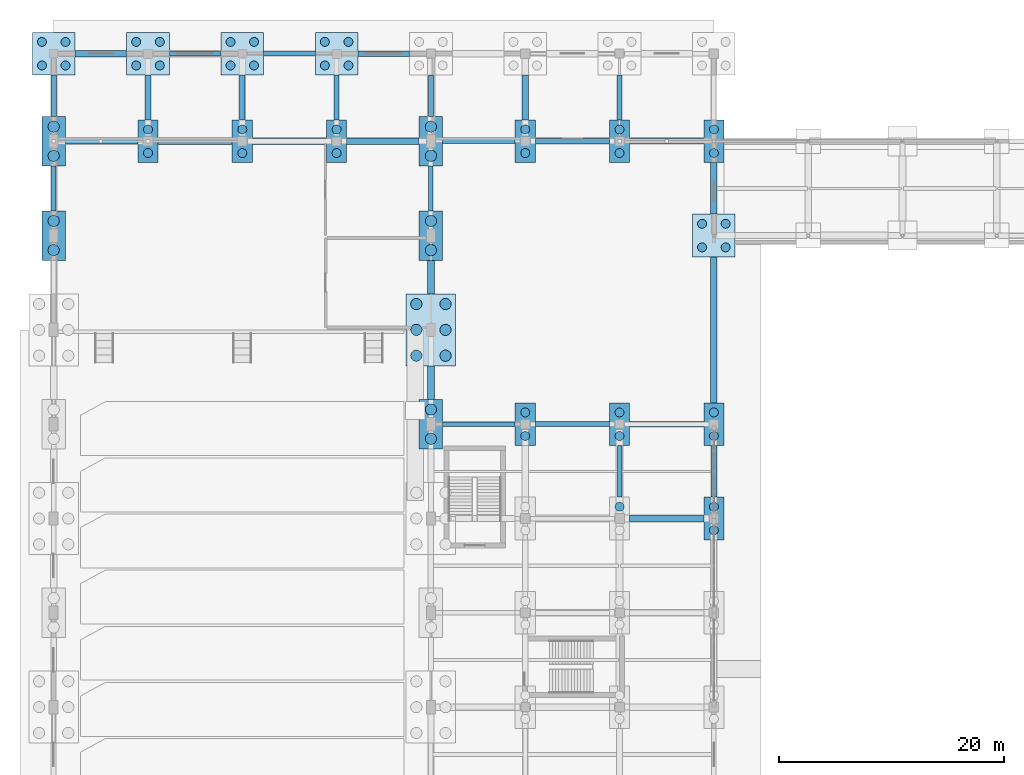
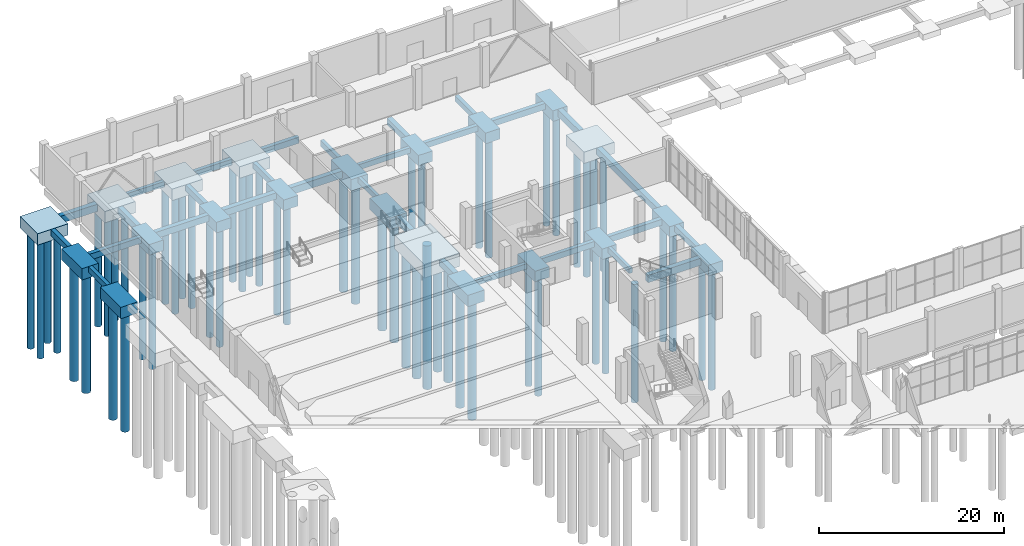
# One storey, part 3 of 82: 57 piles, 51 footings.
"""IFC4 building model written with IfcOpenShell, lengths in metres."""

import ifcopenshell
import ifcopenshell.guid

model = None  # the IFC model being written
_history = None  # IfcOwnerHistory: only IFC2X3 demands one
_inside = {}  # id of a spatial element -> (the spatial element, [elements in it])
_under = {}  # id of a project, library or spatial element -> (it, [spatial elements below it])
_declared = {}  # id of a project -> (the project, [libraries it declares])
_typed = {}  # id of a type object -> (the type object, [elements of that type])
_made_of = {}  # id of a material, layer set ... -> (it, [elements and type objects made of it])


def new_model(schema):
    """Start an empty IFC model of exactly this schema.

    Asked for "IFC4X3", IfcOpenShell would pick the latest addendum, in which some entities
    have other attributes; the version numbers below select the first issue.
    IFC2X3 requires an IfcOwnerHistory on every rooted entity: one is made here for all.
    """
    global model, _history
    if schema == "IFC4X3":
        model = ifcopenshell.file(schema_version=(4, 3, 0, 0))
    else:
        model = ifcopenshell.file(schema=schema)
    _inside.clear()
    _under.clear()
    _declared.clear()
    _typed.clear()
    _made_of.clear()
    _history = None
    if model.schema == "IFC2X3":
        org = make("IfcOrganization", Name="unknown")
        user = make(
            "IfcPersonAndOrganization",
            ThePerson=make("IfcPerson", FamilyName="unknown"),
            TheOrganization=org,
        )
        app = make(
            "IfcApplication",
            ApplicationDeveloper=org,
            Version="unknown",
            ApplicationFullName="unknown",
            ApplicationIdentifier="unknown",
        )
        _history = make(
            "IfcOwnerHistory",
            OwningUser=user,
            OwningApplication=app,
            ChangeAction="ADDED",
            CreationDate=0,
        )
    return model


def make(cls, **values):
    """One entity of the class cls with the attributes given. An attribute that is None is left unset."""
    return model.create_entity(
        cls, **{name: value for name, value in values.items() if value is not None}
    )


def rooted(cls, **values):
    """An entity with a GlobalId (a new one), such as an element, a storey or a relation."""
    return make(cls, GlobalId=ifcopenshell.guid.new(), OwnerHistory=_history, **values)


def si_unit(unit_type, name, prefix=None):
    """IfcSIUnit, for example si_unit("LENGTHUNIT", "METRE", prefix="MILLI")."""
    return make("IfcSIUnit", UnitType=unit_type, Prefix=prefix, Name=name)


def derived_unit(unit_type, elements):
    """IfcDerivedUnit: a product of units, each with its exponent."""
    return make(
        "IfcDerivedUnit",
        Elements=[
            make("IfcDerivedUnitElement", Unit=unit, Exponent=power)
            for unit, power in elements
        ],
        UnitType=unit_type,
    )


def assignment(units):
    """IfcUnitAssignment: the units of a project."""
    return None if units is None else make("IfcUnitAssignment", Units=units)


def point(xyz):
    """IfcCartesianPoint."""
    return None if xyz is None else make("IfcCartesianPoint", Coordinates=xyz)


def direction(xyz):
    """IfcDirection."""
    return None if xyz is None else make("IfcDirection", DirectionRatios=xyz)


def frame(location, z_axis=None, x_axis=None):
    """IfcAxis2Placement3D, a coordinate frame: its origin and axes. An axis left out is left unset."""
    return make(
        "IfcAxis2Placement3D",
        Location=point(location),
        Axis=direction(z_axis),
        RefDirection=direction(x_axis),
    )


def frame_2d(location, x_axis=None):
    """IfcAxis2Placement2D, a coordinate frame in the plane: its origin and x axis."""
    return make(
        "IfcAxis2Placement2D", Location=point(location), RefDirection=direction(x_axis)
    )


def origin():
    """The frame at (0, 0, 0) with its axes left unset."""
    return frame((0.0, 0.0, 0.0))


def origin_2d():
    """The frame at (0, 0) in the plane with its x axis left unset."""
    return frame_2d((0.0, 0.0))


def place(relative_to, where):
    """IfcLocalPlacement: puts the frame where relative to a parent placement (None: the world)."""
    return make(
        "IfcLocalPlacement", PlacementRelTo=relative_to, RelativePlacement=where
    )


def context(
    kind, dimensions, precision=None, world=None, true_north=None, identifier=None
):
    """IfcGeometricRepresentationContext, for example the 3D "Model" context."""
    return make(
        "IfcGeometricRepresentationContext",
        ContextIdentifier=identifier,
        ContextType=kind,
        CoordinateSpaceDimension=dimensions,
        Precision=precision,
        WorldCoordinateSystem=world,
        TrueNorth=true_north,
    )


def subcontext(parent, identifier, kind, view, scale=None):
    """IfcGeometricRepresentationSubContext, for example "Body" below "Model"."""
    return make(
        "IfcGeometricRepresentationSubContext",
        ContextIdentifier=identifier,
        ContextType=kind,
        ParentContext=parent,
        TargetScale=scale,
        TargetView=view,
    )


def project(units=None, contexts=None):
    """IfcProject with its units and contexts."""
    return rooted(
        "IfcProject",
        Name="project",
        RepresentationContexts=contexts,
        UnitsInContext=assignment(units),
    )


def spatial(cls, under=None, at=None, **own):
    """A site, building, storey or space (cls), placed at a placement, below another one or the project."""
    s = rooted(cls, ObjectPlacement=at, **own)
    if under is not None:
        _under.setdefault(under.id(), (under, []))[1].append(s)
    return s


def polyline(points):
    """IfcPolyline through the points."""
    return make("IfcPolyline", Points=[point(p) for p in points])


def profile(cls, at=None, kind="AREA", **sizes):
    """A parametric profile (cls). Its sizes go by their IFC names, for example OverallWidth=200.0."""
    return make(cls, ProfileType=kind, Position=at, **sizes)


def rectangle(**sizes):
    """IfcRectangleProfileDef."""
    return profile("IfcRectangleProfileDef", **sizes)


def circle(**sizes):
    """IfcCircleProfileDef."""
    return profile("IfcCircleProfileDef", **sizes)


def outline(outer, holes=None, kind="AREA"):
    """IfcArbitraryClosedProfileDef: a profile drawn as a closed curve; with holes, ...WithVoids."""
    if holes is None:
        return make("IfcArbitraryClosedProfileDef", ProfileType=kind, OuterCurve=outer)
    return make(
        "IfcArbitraryProfileDefWithVoids",
        ProfileType=kind,
        OuterCurve=outer,
        InnerCurves=holes,
    )


def extrude(swept, where, along, depth):
    """IfcExtrudedAreaSolid: the profile swept, set in the frame where, extruded along a direction by depth."""
    return make(
        "IfcExtrudedAreaSolid",
        SweptArea=swept,
        Position=where,
        ExtrudedDirection=direction(along),
        Depth=depth,
    )


def shape(context_of_items, identifier, shape_type, items):
    """IfcShapeRepresentation: the items that make up one representation, for example the "Body"."""
    return make(
        "IfcShapeRepresentation",
        ContextOfItems=context_of_items,
        RepresentationIdentifier=identifier,
        RepresentationType=shape_type,
        Items=items,
    )


def material(Name=None, Category=None):
    """IfcMaterial."""
    return make("IfcMaterial", Name=Name, Category=Category)


def material_profile(
    of_material, cross_section, Name=None, Category=None, Priority=None
):
    """IfcMaterialProfile: a cross section and its material."""
    return make(
        "IfcMaterialProfile",
        Name=Name,
        Material=of_material,
        Profile=cross_section,
        Priority=Priority,
        Category=Category,
    )


def profile_set(profiles, Name=None, composite=None):
    """IfcMaterialProfileSet."""
    return make(
        "IfcMaterialProfileSet",
        Name=Name,
        MaterialProfiles=profiles,
        CompositeProfile=composite,
    )


def made_of(thing, what):
    """Note that an element or type object is made of a material, layer set ...; save() writes the relation."""
    if what is not None:
        _made_of.setdefault(what.id(), (what, []))[1].append(thing)
    return thing


def type_object(cls, material=None, **own):
    """A type object (cls), such as IfcWallType, which elements share."""
    return made_of(rooted(cls, **own), material)


def element(
    cls,
    number,
    at=None,
    inside=None,
    cuts=None,
    type_object=None,
    material=None,
    context=None,
    identifier="Body",
    shape_type=None,
    held_by="IfcProductDefinitionShape",
    body=None,
    shapes=None,
    **own,
):
    """One element of the class cls, such as IfcWall. Its Tag is "e" and its number.

    at: its placement. inside: the storey or other place that contains it. cuts: it is an
    opening in that element (IfcRelVoidsElement). A single representation is given by context,
    identifier, shape_type and body (its items); several are given by shapes. held_by: the class
    of the entity that holds the representations. save() writes the other relations.
    """
    e = rooted(cls, Tag="e%d" % number, ObjectPlacement=at, **own)
    if body is not None:
        shapes = [shape(context, identifier, shape_type, body)]
    if shapes is not None:
        e.Representation = make(held_by, Representations=shapes)
    if inside is not None:
        _inside.setdefault(inside.id(), (inside, []))[1].append(e)
    if cuts is not None:
        rooted(
            "IfcRelVoidsElement", RelatingBuildingElement=cuts, RelatedOpeningElement=e
        )
    if type_object is not None:
        _typed.setdefault(type_object.id(), (type_object, []))[1].append(e)
    return made_of(e, material)


def aggregate(whole, parts):
    """IfcRelAggregates: a whole, such as a stair, and the parts it consists of."""
    return rooted("IfcRelAggregates", RelatingObject=whole, RelatedObjects=parts)


def save(model, path):
    """Write the relations noted so far, then the file.

    IfcRelAggregates (storeys below a building ...), IfcRelContainedInSpatialStructure (elements
    in a storey), IfcRelDefinesByType, IfcRelAssociatesMaterial and IfcRelDeclares: one each for
    every whole, place, type object, material and project.
    """
    for whole, parts in _under.values():
        aggregate(whole, parts)
    for where, things in _inside.values():
        rooted(
            "IfcRelContainedInSpatialStructure",
            RelatedElements=things,
            RelatingStructure=where,
        )
    for kind, things in _typed.values():
        rooted("IfcRelDefinesByType", RelatedObjects=things, RelatingType=kind)
    for what, things in _made_of.values():
        rooted("IfcRelAssociatesMaterial", RelatedObjects=things, RelatingMaterial=what)
    for by, libraries in _declared.values():
        rooted("IfcRelDeclares", RelatingContext=by, RelatedDefinitions=libraries)
    model.write(path)


model = new_model("IFC4")

# Units and contexts
model_context = context("Model", 3, precision=1e-05, world=origin(), true_north=direction((0.0, 1.0)))
body_context = subcontext(model_context, "Body", "Model", "MODEL_VIEW")
ifc_project = project(units=[si_unit("LENGTHUNIT", "METRE"), si_unit("AREAUNIT", "SQUARE_METRE"), si_unit("VOLUMEUNIT", "CUBIC_METRE"), si_unit("PLANEANGLEUNIT", "RADIAN"), si_unit("MASSUNIT", "GRAM", prefix="KILO"), derived_unit("THERMALTRANSMITTANCEUNIT", [(si_unit("POWERUNIT", "WATT"), 1), (si_unit("LENGTHUNIT", "METRE"), -2), (si_unit("THERMODYNAMICTEMPERATUREUNIT", "KELVIN"), -1)])], contexts=[model_context])

# Site, building, storey
site_placement = place(None, origin())
site = spatial("IfcSite", under=ifc_project, at=site_placement, CompositionType="ELEMENT")
building_placement = place(site_placement, origin())
building = spatial("IfcBuilding", under=site, at=building_placement, Name="Barrovel Congress Hotel", CompositionType="ELEMENT")
storey_placement = place(building_placement, origin())
storey = spatial("IfcBuildingStorey", under=building, at=storey_placement, Name="L00", CompositionType="ELEMENT", Elevation=0.0)

# Footings
ifc_material_1 = material(Name="Concrete C40", Category="concrete")
footing_type_1 = type_object("IfcFootingType", Name="CAP-PC-04", PredefinedType="PILE_CAP", material=ifc_material_1)
for number, where, z_axis, x_axis, name in (
    (1, (8.39990234375, 105.0, -6.260009765625), (0.0, 0.0, 1.0), (1.0, 0.0, 0.0), "CAP:L00:8.4:105.0"),
    (2, (16.800048828125, 105.0, -6.260009765625), (0.0, 0.0, 1.0), (1.0, 0.0, 0.0), "CAP:L00:16.8:105.0"),
    (3, (25.199951171875, 105.0, -6.260009765625), (0.0, 0.0, 1.0), (1.0, 0.0, 0.0), "CAP:L00:25.2:105.0"),
    (4, (42.0, 79.800048828125, -6.260009765625), (0.0, 0.0, 1.0), (1.0, 0.0, 0.0), "CAP:L00:42.0:79.8"),
    (5, (42.0, 105.0, -6.260009765625), (0.0, 0.0, 1.0), (1.0, 0.0, 0.0), "CAP:L00:42.0:105.0"),
    (6, (50.39990234375, 79.800048828125, -6.260009765625), (0.0, 0.0, 1.0), (1.0, 0.0, 0.0), "CAP:L00:50.4:79.8"),
    (7, (50.39990234375, 105.0, -6.260009765625), (0.0, 0.0, 1.0), (1.0, 0.0, 0.0), "CAP:L00:50.4:105.0"),
    (8, (58.800048828125, 71.39990234375, -6.260009765625), (0.0, 0.0, 1.0), (1.0, 0.0, 0.0), "CAP:L00:58.8:71.4"),
    (9, (58.800048828125, 79.800048828125, -6.260009765625), (0.0, 0.0, 1.0), (1.0, 0.0, 0.0), "CAP:L00:58.8:79.8"),
    (10, (58.800048828125, 105.0, -6.260009765625), (0.0, 0.0, 1.0), (1.0, 0.0, 0.0), "CAP:L00:58.8:105.0"),
):
    element("IfcFooting", number, at=place(storey_placement, frame(where, z_axis=z_axis, x_axis=x_axis)), inside=storey, type_object=footing_type_1, Name=name, PredefinedType="PILE_CAP", context=body_context, shape_type="SweptSolid", body=[
        extrude(rectangle(XDim=1.800048828125, YDim=3.800048828125, at=origin_2d()), origin(), (0.0, 0.0, 1.0), 1.39990234375),
    ])
footing_type_2 = type_object("IfcFootingType", Name="CAP-PC-06", PredefinedType="PILE_CAP", material=ifc_material_1)
for number, where, z_axis, x_axis, name in (
    (11, (0.0, 96.60009765625, -6.360107421875), (0.0, 0.0, 1.0), (1.0, 0.0, 0.0), "CAP:L00:0.0:96.6"),
    (12, (0.0, 105.0, -6.360107421875), (0.0, 0.0, 1.0), (1.0, 0.0, 0.0), "CAP:L00:0.0:105.0"),
    (13, (33.60009765625, 79.800048828125, -6.360107421875), (0.0, 0.0, 1.0), (1.0, 0.0, 0.0), "CAP:L00:33.6:79.8"),
    (14, (33.60009765625, 96.60009765625, -6.360107421875), (0.0, 0.0, 1.0), (1.0, 0.0, 0.0), "CAP:L00:33.6:96.6"),
    (15, (33.60009765625, 105.0, -6.360107421875), (0.0, 0.0, 1.0), (1.0, 0.0, 0.0), "CAP:L00:33.6:105.0"),
):
    element("IfcFooting", number, at=place(storey_placement, frame(where, z_axis=z_axis, x_axis=x_axis)), inside=storey, type_object=footing_type_2, Name=name, PredefinedType="PILE_CAP", context=body_context, shape_type="SweptSolid", body=[
        extrude(rectangle(XDim=2.10009765625, YDim=4.39990234375, at=origin_2d()), origin(), (0.0, 0.0, 1.0), 1.5),
    ])
footing_type_3 = type_object("IfcFootingType", Name="CAP-PC-07", PredefinedType="PILE_CAP", material=ifc_material_1)
for number, where, z_axis, x_axis, name in (
    (16, (0.0, 112.800048828125, -6.360107421875), (0.0, 0.0, 1.0), (1.0, 0.0, 0.0), "CAP:L00:0.0:112.8"),
    (17, (8.39990234375, 112.800048828125, -6.360107421875), (0.0, 0.0, 1.0), (1.0, 0.0, 0.0), "CAP:L00:8.4:112.8"),
    (18, (16.800048828125, 112.800048828125, -6.360107421875), (0.0, 0.0, 1.0), (1.0, 0.0, 0.0), "CAP:L00:16.8:112.8"),
    (19, (25.199951171875, 112.800048828125, -6.360107421875), (0.0, 0.0, 1.0), (1.0, 0.0, 0.0), "CAP:L00:25.2:112.8"),
    (20, (58.800048828125, 96.60009765625, -6.360107421875), (0.0, 0.0, 1.0), (1.0, 0.0, 0.0), "CAP:L00:58.8:96.6"),
):
    element("IfcFooting", number, at=place(storey_placement, frame(where, z_axis=z_axis, x_axis=x_axis)), inside=storey, type_object=footing_type_3, Name=name, PredefinedType="PILE_CAP", context=body_context, shape_type="SweptSolid", body=[
        extrude(rectangle(XDim=3.800048828125, YDim=3.800048828125, at=origin_2d()), origin(), (0.0, 0.0, 1.0), 1.5),
    ])
footing_type_4 = type_object("IfcFootingType", Name="CAP-PC-13", PredefinedType="PILE_CAP", material=ifc_material_1)
footing_1_placement = place(storey_placement, frame((33.60009765625, 88.199951171875, -6.66015625), z_axis=(0.0, 0.0, 1.0), x_axis=(1.0, 0.0, 0.0)))
element("IfcFooting", 21, at=footing_1_placement, inside=storey, type_object=footing_type_4, Name="CAP:L00:33.6:88.2", PredefinedType="PILE_CAP", context=body_context, shape_type="SweptSolid", body=[
    extrude(rectangle(XDim=4.39990234375, YDim=6.39990234375, at=origin_2d()), origin(), (0.0, 0.0, 1.0), 1.800048828125),
])
footing_type_5 = type_object("IfcFootingType", Name="FB-400x700", PredefinedType="FOOTING_BEAM", material=ifc_material_1)
footing_2_placement = place(storey_placement, frame((0.0, 0.0, -5.56005859375)))
element("IfcFooting", 22, at=footing_2_placement, inside=storey, type_object=footing_type_5, Name="FBX:L00:79.8:33.6-42.0", PredefinedType="FOOTING_BEAM", context=body_context, shape_type="SweptSolid", body=[
    extrude(outline(polyline([(34.64990234375, 79.60009765625), (41.10009765625, 79.60009765625), (41.10009765625, 80.0), (34.64990234375, 80.0), (34.64990234375, 79.60009765625)])), origin(), (0.0, 0.0, 1.0), 0.699951171875),
])
footing_3_placement = place(storey_placement, frame((0.0, 0.0, -5.56005859375)))
element("IfcFooting", 23, at=footing_3_placement, inside=storey, type_object=footing_type_5, Name="FBX:L00:105.0:33.6-42.0", PredefinedType="FOOTING_BEAM", context=body_context, shape_type="SweptSolid", body=[
    extrude(outline(polyline([(34.64990234375, 104.800048828125), (41.10009765625, 104.800048828125), (41.10009765625, 105.199951171875), (34.64990234375, 105.199951171875), (34.64990234375, 104.800048828125)])), origin(), (0.0, 0.0, 1.0), 0.699951171875),
])
footing_4_placement = place(storey_placement, frame((0.0, 0.0, -5.56005859375)))
element("IfcFooting", 24, at=footing_4_placement, inside=storey, type_object=footing_type_5, Name="FBX:L00:112.8:8.4-16.8", PredefinedType="FOOTING_BEAM", context=body_context, shape_type="SweptSolid", body=[
    extrude(outline(polyline([(10.300048828125, 112.60009765625), (14.89990234375, 112.60009765625), (14.89990234375, 113.0), (10.300048828125, 113.0), (10.300048828125, 112.60009765625)])), origin(), (0.0, 0.0, 1.0), 0.699951171875),
])
footing_5_placement = place(storey_placement, frame((0.0, 0.0, -5.56005859375)))
element("IfcFooting", 25, at=footing_5_placement, inside=storey, type_object=footing_type_5, Name="FBY:L00:33.6:96.6-105.0", PredefinedType="FOOTING_BEAM", context=body_context, shape_type="SweptSolid", body=[
    extrude(outline(polyline([(33.39990234375, 98.800048828125), (33.800048828125, 98.800048828125), (33.800048828125, 102.800048828125), (33.39990234375, 102.800048828125), (33.39990234375, 98.800048828125)])), origin(), (0.0, 0.0, 1.0), 0.699951171875),
])
footing_6_placement = place(storey_placement, frame((0.0, 0.0, -5.56005859375)))
element("IfcFooting", 26, at=footing_6_placement, inside=storey, type_object=footing_type_5, Name="FBY:L00:50.4:71.4-79.8", PredefinedType="FOOTING_BEAM", context=body_context, shape_type="SweptSolid", body=[
    extrude(outline(polyline([(50.199951171875, 73.300048828125), (50.60009765625, 73.300048828125), (50.60009765625, 77.89990234375), (50.199951171875, 77.89990234375), (50.199951171875, 73.300048828125)])), origin(), (0.0, 0.0, 1.0), 0.699951171875),
])
footing_type_6 = type_object("IfcFootingType", Name="FB-450x750", PredefinedType="FOOTING_BEAM", material=ifc_material_1)
footing_7_placement = place(storey_placement, frame((0.0, 0.0, -5.610107421875)))
element("IfcFooting", 27, at=footing_7_placement, inside=storey, type_object=footing_type_6, Name="FBX:L00:79.8:42.0-50.4", PredefinedType="FOOTING_BEAM", context=body_context, shape_type="SweptSolid", body=[
    extrude(outline(polyline([(42.89990234375, 79.574951171875), (49.5, 79.574951171875), (49.5, 80.02490234375), (42.89990234375, 80.02490234375), (42.89990234375, 79.574951171875)])), origin(), (0.0, 0.0, 1.0), 0.75),
])
footing_8_placement = place(storey_placement, frame((0.0, 0.0, -5.610107421875)))
element("IfcFooting", 28, at=footing_8_placement, inside=storey, type_object=footing_type_6, Name="FBX:L00:105.0:42.0-50.4", PredefinedType="FOOTING_BEAM", context=body_context, shape_type="SweptSolid", body=[
    extrude(outline(polyline([(42.89990234375, 104.77490234375), (49.5, 104.77490234375), (49.5, 105.22509765625), (42.89990234375, 105.22509765625), (42.89990234375, 104.77490234375)])), origin(), (0.0, 0.0, 1.0), 0.75),
])
footing_9_placement = place(storey_placement, frame((0.0, 0.0, -5.610107421875)))
element("IfcFooting", 29, at=footing_9_placement, inside=storey, type_object=footing_type_6, Name="FBX:L00:112.8:16.8-25.2", PredefinedType="FOOTING_BEAM", context=body_context, shape_type="SweptSolid", body=[
    extrude(outline(polyline([(18.699951171875, 112.574951171875), (23.300048828125, 112.574951171875), (23.300048828125, 113.02490234375), (18.699951171875, 113.02490234375), (18.699951171875, 112.574951171875)])), origin(), (0.0, 0.0, 1.0), 0.75),
])
footing_10_placement = place(storey_placement, frame((0.0, 0.0, -5.610107421875)))
element("IfcFooting", 30, at=footing_10_placement, inside=storey, type_object=footing_type_6, Name="FBY:L00:0.0:96.6-105.0", PredefinedType="FOOTING_BEAM", context=body_context, shape_type="SweptSolid", body=[
    extrude(outline(polyline([(-0.22509765625, 98.800048828125), (0.22509765625, 98.800048828125), (0.22509765625, 102.800048828125), (-0.22509765625, 102.800048828125), (-0.22509765625, 98.800048828125)])), origin(), (0.0, 0.0, 1.0), 0.75),
])
footing_11_placement = place(storey_placement, frame((0.0, 0.0, -5.610107421875)))
element("IfcFooting", 31, at=footing_11_placement, inside=storey, type_object=footing_type_6, Name="FBY:L00:25.2:105.0-112.8", PredefinedType="FOOTING_BEAM", context=body_context, shape_type="SweptSolid", body=[
    extrude(outline(polyline([(24.97509765625, 106.89990234375), (25.425048828125, 106.89990234375), (25.425048828125, 110.89990234375), (24.97509765625, 110.89990234375), (24.97509765625, 106.89990234375)])), origin(), (0.0, 0.0, 1.0), 0.75),
])
footing_12_placement = place(storey_placement, frame((0.0, 0.0, -5.610107421875)))
element("IfcFooting", 32, at=footing_12_placement, inside=storey, type_object=footing_type_6, Name="FBY:L00:33.6:105.0-112.8", PredefinedType="FOOTING_BEAM", context=body_context, shape_type="SweptSolid", body=[
    extrude(outline(polyline([(33.375, 107.199951171875), (33.824951171875, 107.199951171875), (33.824951171875, 110.89990234375), (33.375, 110.89990234375), (33.375, 107.199951171875)])), origin(), (0.0, 0.0, 1.0), 0.75),
])
footing_13_placement = place(storey_placement, frame((0.0, 0.0, -5.610107421875)))
element("IfcFooting", 33, at=footing_13_placement, inside=storey, type_object=footing_type_6, Name="FBY:L00:50.4:105.0-112.8", PredefinedType="FOOTING_BEAM", context=body_context, shape_type="SweptSolid", body=[
    extrude(outline(polyline([(50.175048828125, 106.89990234375), (50.625, 106.89990234375), (50.625, 110.89990234375), (50.175048828125, 110.89990234375), (50.175048828125, 106.89990234375)])), origin(), (0.0, 0.0, 1.0), 0.75),
])
footing_type_7 = type_object("IfcFootingType", Name="FB-500x800", PredefinedType="FOOTING_BEAM", material=ifc_material_1)
footing_14_placement = place(storey_placement, frame((0.0, 0.0, -5.659912109375)))
element("IfcFooting", 34, at=footing_14_placement, inside=storey, type_object=footing_type_7, Name="FBX:L00:79.8:50.4-58.8", PredefinedType="FOOTING_BEAM", context=body_context, shape_type="SweptSolid", body=[
    extrude(outline(polyline([(51.300048828125, 79.550048828125), (57.89990234375, 79.550048828125), (57.89990234375, 80.050048828125), (51.300048828125, 80.050048828125), (51.300048828125, 79.550048828125)])), origin(), (0.0, 0.0, 1.0), 0.7998046875),
])
footing_15_placement = place(storey_placement, frame((0.0, 0.0, -5.659912109375)))
element("IfcFooting", 35, at=footing_15_placement, inside=storey, type_object=footing_type_7, Name="FBX:L00:105.0:0.0-8.4", PredefinedType="FOOTING_BEAM", context=body_context, shape_type="SweptSolid", body=[
    extrude(outline(polyline([(1.050048828125, 104.75), (7.5, 104.75), (7.5, 105.25), (1.050048828125, 105.25), (1.050048828125, 104.75)])), origin(), (0.0, 0.0, 1.0), 0.7998046875),
])
footing_16_placement = place(storey_placement, frame((0.0, 0.0, -5.659912109375)))
element("IfcFooting", 36, at=footing_16_placement, inside=storey, type_object=footing_type_7, Name="FBX:L00:105.0:50.4-58.8", PredefinedType="FOOTING_BEAM", context=body_context, shape_type="SweptSolid", body=[
    extrude(outline(polyline([(51.300048828125, 104.75), (57.89990234375, 104.75), (57.89990234375, 105.25), (51.300048828125, 105.25), (51.300048828125, 104.75)])), origin(), (0.0, 0.0, 1.0), 0.7998046875),
])
footing_17_placement = place(storey_placement, frame((0.0, 0.0, -5.659912109375)))
element("IfcFooting", 37, at=footing_17_placement, inside=storey, type_object=footing_type_7, Name="FBX:L00:112.8:25.2-33.6", PredefinedType="FOOTING_BEAM", context=body_context, shape_type="SweptSolid", body=[
    extrude(outline(polyline([(27.10009765625, 112.550048828125), (31.699951171875, 112.550048828125), (31.699951171875, 113.050048828125), (27.10009765625, 113.050048828125), (27.10009765625, 112.550048828125)])), origin(), (0.0, 0.0, 1.0), 0.7998046875),
])
footing_18_placement = place(storey_placement, frame((0.0, 0.0, -5.659912109375)))
element("IfcFooting", 38, at=footing_18_placement, inside=storey, type_object=footing_type_7, Name="FBY:L00:0.0:105.0-112.8", PredefinedType="FOOTING_BEAM", context=body_context, shape_type="SweptSolid", body=[
    extrude(outline(polyline([(-0.25, 107.199951171875), (0.25, 107.199951171875), (0.25, 110.89990234375), (-0.25, 110.89990234375), (-0.25, 107.199951171875)])), origin(), (0.0, 0.0, 1.0), 0.7998046875),
])
footing_19_placement = place(storey_placement, frame((0.0, 0.0, -5.659912109375)))
element("IfcFooting", 39, at=footing_19_placement, inside=storey, type_object=footing_type_7, Name="FBY:L00:16.8:105.0-112.8", PredefinedType="FOOTING_BEAM", context=body_context, shape_type="SweptSolid", body=[
    extrude(outline(polyline([(16.550048828125, 106.89990234375), (17.050048828125, 106.89990234375), (17.050048828125, 110.89990234375), (16.550048828125, 110.89990234375), (16.550048828125, 106.89990234375)])), origin(), (0.0, 0.0, 1.0), 0.7998046875),
])
footing_type_8 = type_object("IfcFootingType", Name="FB-550x850", PredefinedType="FOOTING_BEAM", material=ifc_material_1)
footing_20_placement = place(storey_placement, frame((0.0, 0.0, -5.7099609375)))
element("IfcFooting", 40, at=footing_20_placement, inside=storey, type_object=footing_type_8, Name="FBX:L00:105.0:8.4-16.8", PredefinedType="FOOTING_BEAM", context=body_context, shape_type="SweptSolid", body=[
    extrude(outline(polyline([(9.300048828125, 104.72509765625), (15.89990234375, 104.72509765625), (15.89990234375, 105.27490234375), (9.300048828125, 105.27490234375), (9.300048828125, 104.72509765625)])), origin(), (0.0, 0.0, 1.0), 0.849853515625),
])
footing_21_placement = place(storey_placement, frame((0.0, 0.0, -5.7099609375)))
element("IfcFooting", 41, at=footing_21_placement, inside=storey, type_object=footing_type_8, Name="FBY:L00:8.4:105.0-112.8", PredefinedType="FOOTING_BEAM", context=body_context, shape_type="SweptSolid", body=[
    extrude(outline(polyline([(8.125, 106.89990234375), (8.675048828125, 106.89990234375), (8.675048828125, 110.89990234375), (8.125, 110.89990234375), (8.125, 106.89990234375)])), origin(), (0.0, 0.0, 1.0), 0.849853515625),
])
footing_22_placement = place(storey_placement, frame((0.0, 0.0, -5.7099609375)))
element("IfcFooting", 42, at=footing_22_placement, inside=storey, type_object=footing_type_8, Name="FBY:L00:58.8:71.4-79.8", PredefinedType="FOOTING_BEAM", context=body_context, shape_type="SweptSolid", body=[
    extrude(outline(polyline([(58.52490234375, 73.300048828125), (59.074951171875, 73.300048828125), (59.074951171875, 77.89990234375), (58.52490234375, 77.89990234375), (58.52490234375, 73.300048828125)])), origin(), (0.0, 0.0, 1.0), 0.849853515625),
])
footing_type_9 = type_object("IfcFootingType", Name="FB-600x850", PredefinedType="FOOTING_BEAM", material=ifc_material_1)
footing_23_placement = place(storey_placement, frame((0.0, 0.0, -5.7099609375)))
element("IfcFooting", 43, at=footing_23_placement, inside=storey, type_object=footing_type_9, Name="FBX:L00:105.0:16.8-25.2", PredefinedType="FOOTING_BEAM", context=body_context, shape_type="SweptSolid", body=[
    extrude(outline(polyline([(17.699951171875, 104.699951171875), (24.300048828125, 104.699951171875), (24.300048828125, 105.300048828125), (17.699951171875, 105.300048828125), (17.699951171875, 104.699951171875)])), origin(), (0.0, 0.0, 1.0), 0.849853515625),
])
footing_24_placement = place(storey_placement, frame((0.0, 0.0, -5.7099609375)))
element("IfcFooting", 44, at=footing_24_placement, inside=storey, type_object=footing_type_9, Name="FBY:L00:33.6:79.8-88.2", PredefinedType="FOOTING_BEAM", context=body_context, shape_type="SweptSolid", body=[
    extrude(outline(polyline([(33.300048828125, 82.0), (33.89990234375, 82.0), (33.89990234375, 85.0), (33.300048828125, 85.0), (33.300048828125, 82.0)])), origin(), (0.0, 0.0, 1.0), 0.849853515625),
])
footing_25_placement = place(storey_placement, frame((0.0, 0.0, -5.7099609375)))
element("IfcFooting", 45, at=footing_25_placement, inside=storey, type_object=footing_type_9, Name="FBY:L00:42.0:105.0-112.8", PredefinedType="FOOTING_BEAM", context=body_context, shape_type="SweptSolid", body=[
    extrude(outline(polyline([(41.699951171875, 106.89990234375), (42.300048828125, 106.89990234375), (42.300048828125, 110.89990234375), (41.699951171875, 110.89990234375), (41.699951171875, 106.89990234375)])), origin(), (0.0, 0.0, 1.0), 0.849853515625),
])
footing_26_placement = place(storey_placement, frame((0.0, 0.0, -5.7099609375)))
element("IfcFooting", 46, at=footing_26_placement, inside=storey, type_object=footing_type_9, Name="FBY:L00:58.8:79.8-96.6", PredefinedType="FOOTING_BEAM", context=body_context, shape_type="SweptSolid", body=[
    extrude(outline(polyline([(58.5, 81.699951171875), (59.10009765625, 81.699951171875), (59.10009765625, 94.699951171875), (58.5, 94.699951171875), (58.5, 81.699951171875)])), origin(), (0.0, 0.0, 1.0), 0.849853515625),
])
footing_type_10 = type_object("IfcFootingType", Name="FB-600x950", PredefinedType="FOOTING_BEAM", material=ifc_material_1)
footing_27_placement = place(storey_placement, frame((0.0, 0.0, -5.81005859375)))
element("IfcFooting", 47, at=footing_27_placement, inside=storey, type_object=footing_type_10, Name="FBX:L00:71.4:50.4-58.8", PredefinedType="FOOTING_BEAM", context=body_context, shape_type="SweptSolid", body=[
    extrude(outline(polyline([(51.300048828125, 71.10009765625), (57.89990234375, 71.10009765625), (57.89990234375, 71.699951171875), (51.300048828125, 71.699951171875), (51.300048828125, 71.10009765625)])), origin(), (0.0, 0.0, 1.0), 0.949951171875),
])
footing_28_placement = place(storey_placement, frame((0.0, 0.0, -5.81005859375)))
element("IfcFooting", 48, at=footing_28_placement, inside=storey, type_object=footing_type_10, Name="FBX:L00:105.0:25.2-33.6", PredefinedType="FOOTING_BEAM", context=body_context, shape_type="SweptSolid", body=[
    extrude(outline(polyline([(26.10009765625, 104.699951171875), (32.550048828125, 104.699951171875), (32.550048828125, 105.300048828125), (26.10009765625, 105.300048828125), (26.10009765625, 104.699951171875)])), origin(), (0.0, 0.0, 1.0), 0.949951171875),
])
footing_29_placement = place(storey_placement, frame((0.0, 0.0, -5.81005859375)))
element("IfcFooting", 49, at=footing_29_placement, inside=storey, type_object=footing_type_10, Name="FBX:L00:112.8:0.0-8.4", PredefinedType="FOOTING_BEAM", context=body_context, shape_type="SweptSolid", body=[
    extrude(outline(polyline([(1.89990234375, 112.5), (6.5, 112.5), (6.5, 113.10009765625), (1.89990234375, 113.10009765625), (1.89990234375, 112.5)])), origin(), (0.0, 0.0, 1.0), 0.949951171875),
])
footing_30_placement = place(storey_placement, frame((0.0, 0.0, -5.81005859375)))
element("IfcFooting", 50, at=footing_30_placement, inside=storey, type_object=footing_type_10, Name="FBY:L00:33.6:88.2-96.6", PredefinedType="FOOTING_BEAM", context=body_context, shape_type="SweptSolid", body=[
    extrude(outline(polyline([(33.300048828125, 91.39990234375), (33.89990234375, 91.39990234375), (33.89990234375, 94.39990234375), (33.300048828125, 94.39990234375), (33.300048828125, 91.39990234375)])), origin(), (0.0, 0.0, 1.0), 0.949951171875),
])
footing_31_placement = place(storey_placement, frame((0.0, 0.0, -5.81005859375)))
element("IfcFooting", 51, at=footing_31_placement, inside=storey, type_object=footing_type_10, Name="FBY:L00:58.8:96.6-105.0", PredefinedType="FOOTING_BEAM", context=body_context, shape_type="SweptSolid", body=[
    extrude(outline(polyline([(58.5, 98.5), (59.10009765625, 98.5), (59.10009765625, 103.10009765625), (58.5, 103.10009765625), (58.5, 98.5)])), origin(), (0.0, 0.0, 1.0), 0.949951171875),
])

# Piles
ifc_material_2 = material(Name="Concrete C35", Category="concrete")
ifc_material_profile_1 = material_profile(ifc_material_2, circle(Radius=0.5, at=origin_2d()), Name="BP-D1000")
ifc_profile_set_1 = profile_set([ifc_material_profile_1], Name="Concrete C35")
pile_type_1 = type_object("IfcPileType", Name="PILE-BP-D1000", PredefinedType="BORED", material=ifc_profile_set_1)
for number, where, z_axis, x_axis, name in (
    (52, (0.0, 95.300048828125, -6.360107421875), (0.0, 0.0, -1.0), (1.0, 0.0, 0.0), "PILE:L00:0.0:96.6:1"),
    (53, (0.0, 97.89990234375, -6.360107421875), (0.0, 0.0, -1.0), (1.0, 0.0, 0.0), "PILE:L00:0.0:96.6:2"),
    (54, (0.0, 103.699951171875, -6.360107421875), (0.0, 0.0, -1.0), (1.0, 0.0, 0.0), "PILE:L00:0.0:105.0:1"),
    (55, (0.0, 106.300048828125, -6.360107421875), (0.0, 0.0, -1.0), (1.0, 0.0, 0.0), "PILE:L00:0.0:105.0:2"),
    (56, (33.60009765625, 78.5, -6.360107421875), (0.0, 0.0, -1.0), (1.0, 0.0, 0.0), "PILE:L00:33.6:79.8:1"),
    (57, (33.60009765625, 81.10009765625, -6.360107421875), (0.0, 0.0, -1.0), (1.0, 0.0, 0.0), "PILE:L00:33.6:79.8:2"),
):
    element("IfcPile", number, at=place(storey_placement, frame(where, z_axis=z_axis, x_axis=x_axis)), inside=storey, type_object=pile_type_1, Name=name, PredefinedType="BORED", context=body_context, shape_type="SweptSolid", body=[
        extrude(circle(Radius=0.5, at=origin_2d()), origin(), (0.0, 0.0, 1.0), 15.5400390625),
    ])
for number, where, z_axis, x_axis, name in (
    (58, (32.300048828125, 85.89990234375, -6.659912109375), (0.0, 0.0, -1.0), (1.0, 0.0, 0.0), "PILE:L00:33.6:88.2:1"),
    (59, (34.89990234375, 85.89990234375, -6.659912109375), (0.0, 0.0, -1.0), (1.0, 0.0, 0.0), "PILE:L00:33.6:88.2:2"),
    (60, (32.300048828125, 88.199951171875, -6.659912109375), (0.0, 0.0, -1.0), (1.0, 0.0, 0.0), "PILE:L00:33.6:88.2:3"),
    (61, (34.89990234375, 88.199951171875, -6.659912109375), (0.0, 0.0, -1.0), (1.0, 0.0, 0.0), "PILE:L00:33.6:88.2:4"),
    (62, (32.300048828125, 90.5, -6.659912109375), (0.0, 0.0, -1.0), (1.0, 0.0, 0.0), "PILE:L00:33.6:88.2:5"),
    (63, (34.89990234375, 90.5, -6.659912109375), (0.0, 0.0, -1.0), (1.0, 0.0, 0.0), "PILE:L00:33.6:88.2:6"),
):
    element("IfcPile", number, at=place(storey_placement, frame(where, z_axis=z_axis, x_axis=x_axis)), inside=storey, type_object=pile_type_1, Name=name, PredefinedType="BORED", context=body_context, shape_type="SweptSolid", body=[
        extrude(circle(Radius=0.5, at=origin_2d()), origin(), (0.0, 0.0, 1.0), 15.239990234375),
    ])
for number, where, z_axis, x_axis, name in (
    (64, (33.60009765625, 95.300048828125, -6.360107421875), (0.0, 0.0, -1.0), (1.0, 0.0, 0.0), "PILE:L00:33.6:96.6:1"),
    (65, (33.60009765625, 97.89990234375, -6.360107421875), (0.0, 0.0, -1.0), (1.0, 0.0, 0.0), "PILE:L00:33.6:96.6:2"),
    (66, (33.60009765625, 103.699951171875, -6.360107421875), (0.0, 0.0, -1.0), (1.0, 0.0, 0.0), "PILE:L00:33.6:105.0:1"),
    (67, (33.60009765625, 106.300048828125, -6.360107421875), (0.0, 0.0, -1.0), (1.0, 0.0, 0.0), "PILE:L00:33.6:105.0:2"),
):
    element("IfcPile", number, at=place(storey_placement, frame(where, z_axis=z_axis, x_axis=x_axis)), inside=storey, type_object=pile_type_1, Name=name, PredefinedType="BORED", context=body_context, shape_type="SweptSolid", body=[
        extrude(circle(Radius=0.5, at=origin_2d()), origin(), (0.0, 0.0, 1.0), 15.5400390625),
    ])
ifc_material_profile_2 = material_profile(ifc_material_2, circle(Radius=0.39990234375, at=origin_2d()), Name="BP-D800")
ifc_profile_set_2 = profile_set([ifc_material_profile_2], Name="Concrete C35")
pile_type_2 = type_object("IfcPileType", Name="PILE-BP-D800", PredefinedType="BORED", material=ifc_profile_set_2)
for number, where, z_axis, x_axis, name in (
    (68, (-1.050048828125, 111.75, -6.360107421875), (0.0, 0.0, -1.0), (1.0, 0.0, 0.0), "PILE:L00:0.0:112.8:1"),
    (69, (1.050048828125, 111.75, -6.360107421875), (0.0, 0.0, -1.0), (1.0, 0.0, 0.0), "PILE:L00:0.0:112.8:2"),
    (70, (-1.050048828125, 113.85009765625, -6.360107421875), (0.0, 0.0, -1.0), (1.0, 0.0, 0.0), "PILE:L00:0.0:112.8:3"),
    (71, (1.050048828125, 113.85009765625, -6.360107421875), (0.0, 0.0, -1.0), (1.0, 0.0, 0.0), "PILE:L00:0.0:112.8:4"),
):
    element("IfcPile", number, at=place(storey_placement, frame(where, z_axis=z_axis, x_axis=x_axis)), inside=storey, type_object=pile_type_2, Name=name, PredefinedType="BORED", context=body_context, shape_type="SweptSolid", body=[
        extrude(circle(Radius=0.39990234375, at=origin_2d()), origin(), (0.0, 0.0, 1.0), 15.5400390625),
    ])
for number, where, z_axis, x_axis, name in (
    (72, (8.39990234375, 103.949951171875, -6.260009765625), (0.0, 0.0, -1.0), (1.0, 0.0, 0.0), "PILE:L00:8.4:105.0:1"),
    (73, (8.39990234375, 106.050048828125, -6.260009765625), (0.0, 0.0, -1.0), (1.0, 0.0, 0.0), "PILE:L00:8.4:105.0:2"),
):
    element("IfcPile", number, at=place(storey_placement, frame(where, z_axis=z_axis, x_axis=x_axis)), inside=storey, type_object=pile_type_2, Name=name, PredefinedType="BORED", context=body_context, shape_type="SweptSolid", body=[
        extrude(circle(Radius=0.39990234375, at=origin_2d()), origin(), (0.0, 0.0, 1.0), 15.639892578125),
    ])
for number, where, z_axis, x_axis, name in (
    (74, (7.35009765625, 111.75, -6.360107421875), (0.0, 0.0, -1.0), (1.0, 0.0, 0.0), "PILE:L00:8.4:112.8:1"),
    (75, (9.449951171875, 111.75, -6.360107421875), (0.0, 0.0, -1.0), (1.0, 0.0, 0.0), "PILE:L00:8.4:112.8:2"),
    (76, (7.35009765625, 113.85009765625, -6.360107421875), (0.0, 0.0, -1.0), (1.0, 0.0, 0.0), "PILE:L00:8.4:112.8:3"),
    (77, (9.449951171875, 113.85009765625, -6.360107421875), (0.0, 0.0, -1.0), (1.0, 0.0, 0.0), "PILE:L00:8.4:112.8:4"),
):
    element("IfcPile", number, at=place(storey_placement, frame(where, z_axis=z_axis, x_axis=x_axis)), inside=storey, type_object=pile_type_2, Name=name, PredefinedType="BORED", context=body_context, shape_type="SweptSolid", body=[
        extrude(circle(Radius=0.39990234375, at=origin_2d()), origin(), (0.0, 0.0, 1.0), 15.5400390625),
    ])
for number, where, z_axis, x_axis, name in (
    (78, (16.800048828125, 103.949951171875, -6.260009765625), (0.0, 0.0, -1.0), (1.0, 0.0, 0.0), "PILE:L00:16.8:105.0:1"),
    (79, (16.800048828125, 106.050048828125, -6.260009765625), (0.0, 0.0, -1.0), (1.0, 0.0, 0.0), "PILE:L00:16.8:105.0:2"),
):
    element("IfcPile", number, at=place(storey_placement, frame(where, z_axis=z_axis, x_axis=x_axis)), inside=storey, type_object=pile_type_2, Name=name, PredefinedType="BORED", context=body_context, shape_type="SweptSolid", body=[
        extrude(circle(Radius=0.39990234375, at=origin_2d()), origin(), (0.0, 0.0, 1.0), 15.639892578125),
    ])
for number, where, z_axis, x_axis, name in (
    (80, (15.75, 111.75, -6.360107421875), (0.0, 0.0, -1.0), (1.0, 0.0, 0.0), "PILE:L00:16.8:112.8:1"),
    (81, (17.85009765625, 111.75, -6.360107421875), (0.0, 0.0, -1.0), (1.0, 0.0, 0.0), "PILE:L00:16.8:112.8:2"),
    (82, (15.75, 113.85009765625, -6.360107421875), (0.0, 0.0, -1.0), (1.0, 0.0, 0.0), "PILE:L00:16.8:112.8:3"),
    (83, (17.85009765625, 113.85009765625, -6.360107421875), (0.0, 0.0, -1.0), (1.0, 0.0, 0.0), "PILE:L00:16.8:112.8:4"),
):
    element("IfcPile", number, at=place(storey_placement, frame(where, z_axis=z_axis, x_axis=x_axis)), inside=storey, type_object=pile_type_2, Name=name, PredefinedType="BORED", context=body_context, shape_type="SweptSolid", body=[
        extrude(circle(Radius=0.39990234375, at=origin_2d()), origin(), (0.0, 0.0, 1.0), 15.5400390625),
    ])
for number, where, z_axis, x_axis, name in (
    (84, (25.199951171875, 103.949951171875, -6.260009765625), (0.0, 0.0, -1.0), (1.0, 0.0, 0.0), "PILE:L00:25.2:105.0:1"),
    (85, (25.199951171875, 106.050048828125, -6.260009765625), (0.0, 0.0, -1.0), (1.0, 0.0, 0.0), "PILE:L00:25.2:105.0:2"),
):
    element("IfcPile", number, at=place(storey_placement, frame(where, z_axis=z_axis, x_axis=x_axis)), inside=storey, type_object=pile_type_2, Name=name, PredefinedType="BORED", context=body_context, shape_type="SweptSolid", body=[
        extrude(circle(Radius=0.39990234375, at=origin_2d()), origin(), (0.0, 0.0, 1.0), 15.639892578125),
    ])
for number, where, z_axis, x_axis, name in (
    (86, (24.14990234375, 111.75, -6.360107421875), (0.0, 0.0, -1.0), (1.0, 0.0, 0.0), "PILE:L00:25.2:112.8:1"),
    (87, (26.25, 111.75, -6.360107421875), (0.0, 0.0, -1.0), (1.0, 0.0, 0.0), "PILE:L00:25.2:112.8:2"),
    (88, (24.14990234375, 113.85009765625, -6.360107421875), (0.0, 0.0, -1.0), (1.0, 0.0, 0.0), "PILE:L00:25.2:112.8:3"),
    (89, (26.25, 113.85009765625, -6.360107421875), (0.0, 0.0, -1.0), (1.0, 0.0, 0.0), "PILE:L00:25.2:112.8:4"),
):
    element("IfcPile", number, at=place(storey_placement, frame(where, z_axis=z_axis, x_axis=x_axis)), inside=storey, type_object=pile_type_2, Name=name, PredefinedType="BORED", context=body_context, shape_type="SweptSolid", body=[
        extrude(circle(Radius=0.39990234375, at=origin_2d()), origin(), (0.0, 0.0, 1.0), 15.5400390625),
    ])
for number, where, z_axis, x_axis, name in (
    (90, (42.0, 78.75, -6.260009765625), (0.0, 0.0, -1.0), (1.0, 0.0, 0.0), "PILE:L00:42.0:79.8:1"),
    (91, (42.0, 80.85009765625, -6.260009765625), (0.0, 0.0, -1.0), (1.0, 0.0, 0.0), "PILE:L00:42.0:79.8:2"),
    (92, (42.0, 103.949951171875, -6.260009765625), (0.0, 0.0, -1.0), (1.0, 0.0, 0.0), "PILE:L00:42.0:105.0:1"),
    (93, (42.0, 106.050048828125, -6.260009765625), (0.0, 0.0, -1.0), (1.0, 0.0, 0.0), "PILE:L00:42.0:105.0:2"),
    (94, (50.39990234375, 72.449951171875, -6.260009765625), (0.0, 0.0, -1.0), (1.0, 0.0, 0.0), "PILE:L00:50.4:71.4:2"),
    (95, (50.39990234375, 78.75, -6.260009765625), (0.0, 0.0, -1.0), (1.0, 0.0, 0.0), "PILE:L00:50.4:79.8:1"),
    (96, (50.39990234375, 80.85009765625, -6.260009765625), (0.0, 0.0, -1.0), (1.0, 0.0, 0.0), "PILE:L00:50.4:79.8:2"),
    (97, (50.39990234375, 103.949951171875, -6.260009765625), (0.0, 0.0, -1.0), (1.0, 0.0, 0.0), "PILE:L00:50.4:105.0:1"),
    (98, (50.39990234375, 106.050048828125, -6.260009765625), (0.0, 0.0, -1.0), (1.0, 0.0, 0.0), "PILE:L00:50.4:105.0:2"),
    (99, (58.800048828125, 70.35009765625, -6.260009765625), (0.0, 0.0, -1.0), (1.0, 0.0, 0.0), "PILE:L00:58.8:71.4:1"),
    (100, (58.800048828125, 72.449951171875, -6.260009765625), (0.0, 0.0, -1.0), (1.0, 0.0, 0.0), "PILE:L00:58.8:71.4:2"),
    (101, (58.800048828125, 78.75, -6.260009765625), (0.0, 0.0, -1.0), (1.0, 0.0, 0.0), "PILE:L00:58.8:79.8:1"),
    (102, (58.800048828125, 80.85009765625, -6.260009765625), (0.0, 0.0, -1.0), (1.0, 0.0, 0.0), "PILE:L00:58.8:79.8:2"),
):
    element("IfcPile", number, at=place(storey_placement, frame(where, z_axis=z_axis, x_axis=x_axis)), inside=storey, type_object=pile_type_2, Name=name, PredefinedType="BORED", context=body_context, shape_type="SweptSolid", body=[
        extrude(circle(Radius=0.39990234375, at=origin_2d()), origin(), (0.0, 0.0, 1.0), 15.639892578125),
    ])
for number, where, z_axis, x_axis, name in (
    (103, (57.75, 95.550048828125, -6.360107421875), (0.0, 0.0, -1.0), (1.0, 0.0, 0.0), "PILE:L00:58.8:96.6:1"),
    (104, (59.85009765625, 95.550048828125, -6.360107421875), (0.0, 0.0, -1.0), (1.0, 0.0, 0.0), "PILE:L00:58.8:96.6:2"),
    (105, (57.75, 97.64990234375, -6.360107421875), (0.0, 0.0, -1.0), (1.0, 0.0, 0.0), "PILE:L00:58.8:96.6:3"),
    (106, (59.85009765625, 97.64990234375, -6.360107421875), (0.0, 0.0, -1.0), (1.0, 0.0, 0.0), "PILE:L00:58.8:96.6:4"),
):
    element("IfcPile", number, at=place(storey_placement, frame(where, z_axis=z_axis, x_axis=x_axis)), inside=storey, type_object=pile_type_2, Name=name, PredefinedType="BORED", context=body_context, shape_type="SweptSolid", body=[
        extrude(circle(Radius=0.39990234375, at=origin_2d()), origin(), (0.0, 0.0, 1.0), 15.5400390625),
    ])
for number, where, z_axis, x_axis, name in (
    (107, (58.800048828125, 103.949951171875, -6.260009765625), (0.0, 0.0, -1.0), (1.0, 0.0, 0.0), "PILE:L00:58.8:105.0:1"),
    (108, (58.800048828125, 106.050048828125, -6.260009765625), (0.0, 0.0, -1.0), (1.0, 0.0, 0.0), "PILE:L00:58.8:105.0:2"),
):
    element("IfcPile", number, at=place(storey_placement, frame(where, z_axis=z_axis, x_axis=x_axis)), inside=storey, type_object=pile_type_2, Name=name, PredefinedType="BORED", context=body_context, shape_type="SweptSolid", body=[
        extrude(circle(Radius=0.39990234375, at=origin_2d()), origin(), (0.0, 0.0, 1.0), 15.639892578125),
    ])

save(model, "model.ifc")
